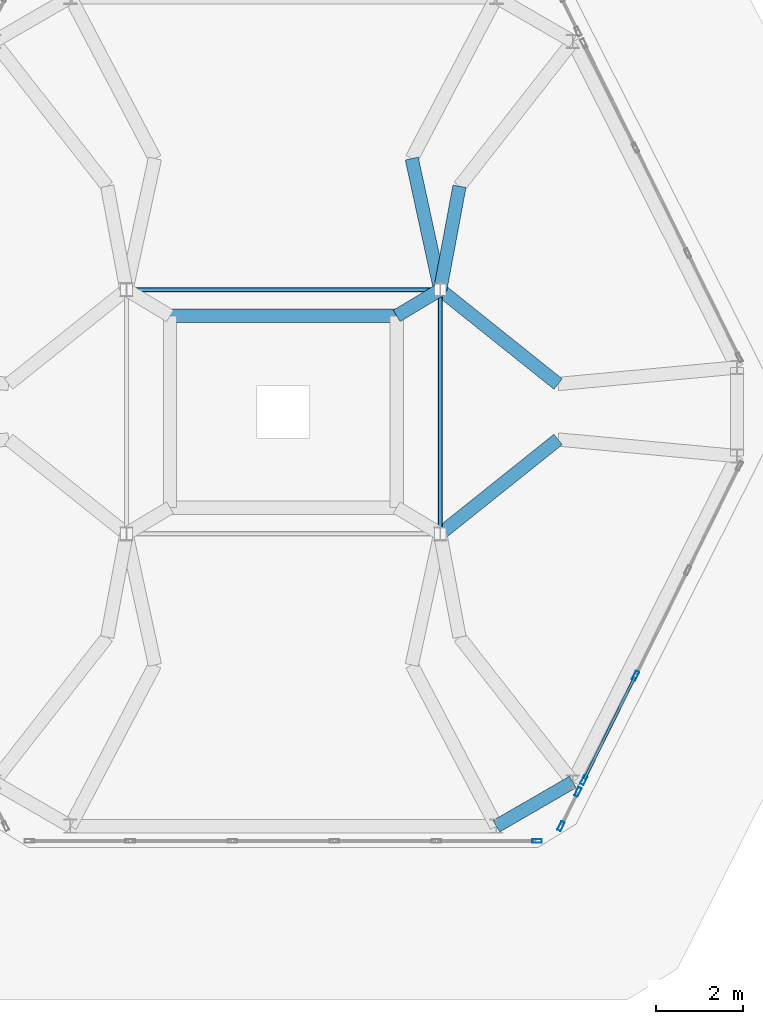
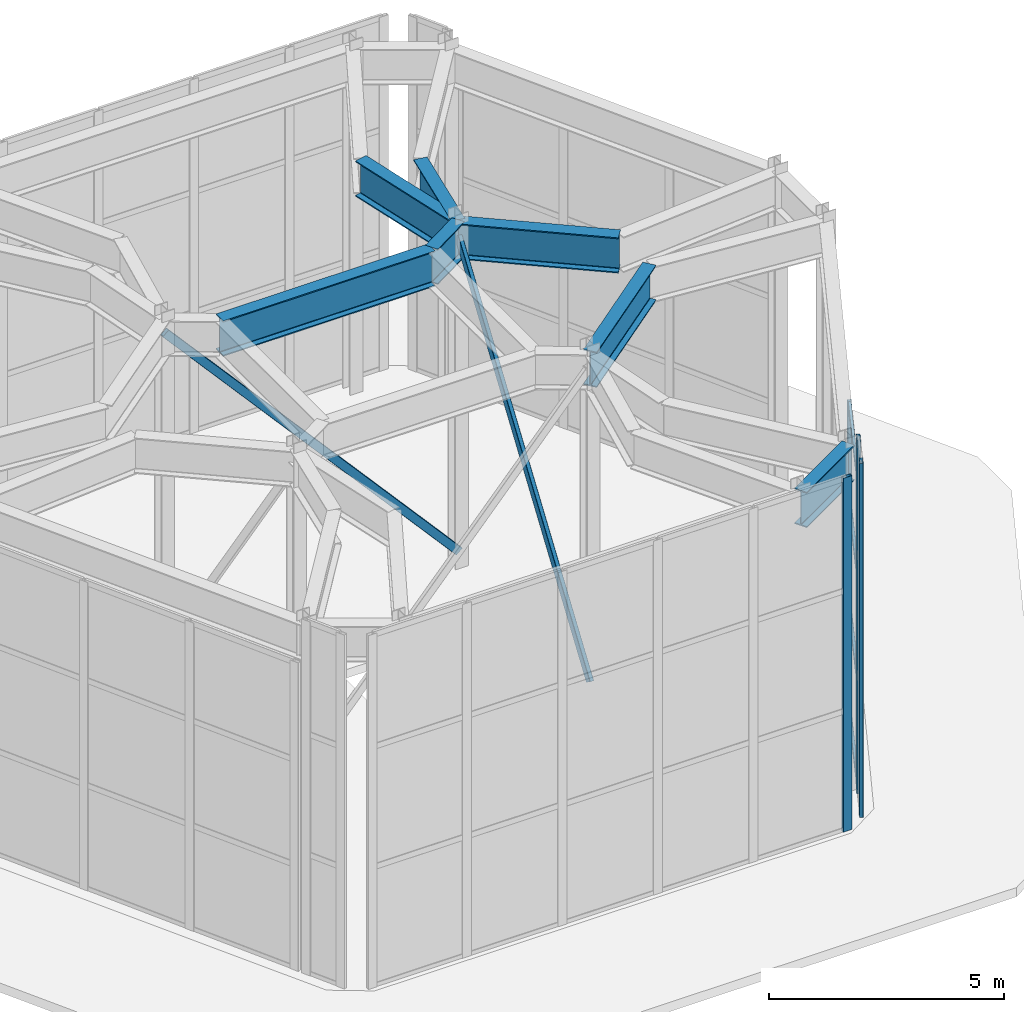
# One storey, part 5 of 9: 11 members, 7 beams, 3 elements without a shape of their own.
"""IFC4 building model written with IfcOpenShell, lengths in metres."""

import ifcopenshell
import ifcopenshell.guid

model = None  # the IFC model being written
_history = None  # IfcOwnerHistory: only IFC2X3 demands one
_inside = {}  # id of a spatial element -> (the spatial element, [elements in it])
_under = {}  # id of a project, library or spatial element -> (it, [spatial elements below it])
_declared = {}  # id of a project -> (the project, [libraries it declares])
_typed = {}  # id of a type object -> (the type object, [elements of that type])
_made_of = {}  # id of a material, layer set ... -> (it, [elements and type objects made of it])


def new_model(schema):
    """Start an empty IFC model of exactly this schema.

    Asked for "IFC4X3", IfcOpenShell would pick the latest addendum, in which some entities
    have other attributes; the version numbers below select the first issue.
    IFC2X3 requires an IfcOwnerHistory on every rooted entity: one is made here for all.
    """
    global model, _history
    if schema == "IFC4X3":
        model = ifcopenshell.file(schema_version=(4, 3, 0, 0))
    else:
        model = ifcopenshell.file(schema=schema)
    _inside.clear()
    _under.clear()
    _declared.clear()
    _typed.clear()
    _made_of.clear()
    _history = None
    if model.schema == "IFC2X3":
        org = make("IfcOrganization", Name="unknown")
        user = make(
            "IfcPersonAndOrganization",
            ThePerson=make("IfcPerson", FamilyName="unknown"),
            TheOrganization=org,
        )
        app = make(
            "IfcApplication",
            ApplicationDeveloper=org,
            Version="unknown",
            ApplicationFullName="unknown",
            ApplicationIdentifier="unknown",
        )
        _history = make(
            "IfcOwnerHistory",
            OwningUser=user,
            OwningApplication=app,
            ChangeAction="ADDED",
            CreationDate=0,
        )
    return model


def make(cls, **values):
    """One entity of the class cls with the attributes given. An attribute that is None is left unset."""
    return model.create_entity(
        cls, **{name: value for name, value in values.items() if value is not None}
    )


def rooted(cls, **values):
    """An entity with a GlobalId (a new one), such as an element, a storey or a relation."""
    return make(cls, GlobalId=ifcopenshell.guid.new(), OwnerHistory=_history, **values)


def si_unit(unit_type, name, prefix=None):
    """IfcSIUnit, for example si_unit("LENGTHUNIT", "METRE", prefix="MILLI")."""
    return make("IfcSIUnit", UnitType=unit_type, Prefix=prefix, Name=name)


def assignment(units):
    """IfcUnitAssignment: the units of a project."""
    return None if units is None else make("IfcUnitAssignment", Units=units)


def point(xyz):
    """IfcCartesianPoint."""
    return None if xyz is None else make("IfcCartesianPoint", Coordinates=xyz)


def direction(xyz):
    """IfcDirection."""
    return None if xyz is None else make("IfcDirection", DirectionRatios=xyz)


def frame(location, z_axis=None, x_axis=None):
    """IfcAxis2Placement3D, a coordinate frame: its origin and axes. An axis left out is left unset."""
    return make(
        "IfcAxis2Placement3D",
        Location=point(location),
        Axis=direction(z_axis),
        RefDirection=direction(x_axis),
    )


def frame_2d(location, x_axis=None):
    """IfcAxis2Placement2D, a coordinate frame in the plane: its origin and x axis."""
    return make(
        "IfcAxis2Placement2D", Location=point(location), RefDirection=direction(x_axis)
    )


def origin():
    """The frame at (0, 0, 0) with its axes left unset."""
    return frame((0.0, 0.0, 0.0))


def origin_2d():
    """The frame at (0, 0) in the plane with its x axis left unset."""
    return frame_2d((0.0, 0.0))


def place(relative_to, where):
    """IfcLocalPlacement: puts the frame where relative to a parent placement (None: the world)."""
    return make(
        "IfcLocalPlacement", PlacementRelTo=relative_to, RelativePlacement=where
    )


def context(
    kind, dimensions, precision=None, world=None, true_north=None, identifier=None
):
    """IfcGeometricRepresentationContext, for example the 3D "Model" context."""
    return make(
        "IfcGeometricRepresentationContext",
        ContextIdentifier=identifier,
        ContextType=kind,
        CoordinateSpaceDimension=dimensions,
        Precision=precision,
        WorldCoordinateSystem=world,
        TrueNorth=true_north,
    )


def subcontext(parent, identifier, kind, view, scale=None):
    """IfcGeometricRepresentationSubContext, for example "Body" below "Model"."""
    return make(
        "IfcGeometricRepresentationSubContext",
        ContextIdentifier=identifier,
        ContextType=kind,
        ParentContext=parent,
        TargetScale=scale,
        TargetView=view,
    )


def project(units=None, contexts=None):
    """IfcProject with its units and contexts."""
    return rooted(
        "IfcProject",
        Name="project",
        RepresentationContexts=contexts,
        UnitsInContext=assignment(units),
    )


def spatial(cls, under=None, at=None, **own):
    """A site, building, storey or space (cls), placed at a placement, below another one or the project."""
    s = rooted(cls, ObjectPlacement=at, **own)
    if under is not None:
        _under.setdefault(under.id(), (under, []))[1].append(s)
    return s


def profile(cls, at=None, kind="AREA", **sizes):
    """A parametric profile (cls). Its sizes go by their IFC names, for example OverallWidth=200.0."""
    return make(cls, ProfileType=kind, Position=at, **sizes)


def hollow_rectangle(**sizes):
    """IfcRectangleHollowProfileDef."""
    return profile("IfcRectangleHollowProfileDef", **sizes)


def i_section(**sizes):
    """IfcIShapeProfileDef."""
    return profile("IfcIShapeProfileDef", **sizes)


def extrude(swept, where, along, depth):
    """IfcExtrudedAreaSolid: the profile swept, set in the frame where, extruded along a direction by depth."""
    return make(
        "IfcExtrudedAreaSolid",
        SweptArea=swept,
        Position=where,
        ExtrudedDirection=direction(along),
        Depth=depth,
    )


def shape(context_of_items, identifier, shape_type, items):
    """IfcShapeRepresentation: the items that make up one representation, for example the "Body"."""
    return make(
        "IfcShapeRepresentation",
        ContextOfItems=context_of_items,
        RepresentationIdentifier=identifier,
        RepresentationType=shape_type,
        Items=items,
    )


def material(Name=None, Category=None):
    """IfcMaterial."""
    return make("IfcMaterial", Name=Name, Category=Category)


def layer(
    of_material, thickness, ventilated=None, Name=None, Category=None, Priority=None
):
    """IfcMaterialLayer: one layer of a wall or slab, of a material (None: an air gap)."""
    return make(
        "IfcMaterialLayer",
        Material=of_material,
        LayerThickness=thickness,
        IsVentilated=ventilated,
        Name=Name,
        Category=Category,
        Priority=Priority,
    )


def layer_set(layers, Name=None):
    """IfcMaterialLayerSet."""
    return make("IfcMaterialLayerSet", MaterialLayers=layers, LayerSetName=Name)


def material_profile(
    of_material, cross_section, Name=None, Category=None, Priority=None
):
    """IfcMaterialProfile: a cross section and its material."""
    return make(
        "IfcMaterialProfile",
        Name=Name,
        Material=of_material,
        Profile=cross_section,
        Priority=Priority,
        Category=Category,
    )


def profile_set(profiles, Name=None, composite=None):
    """IfcMaterialProfileSet."""
    return make(
        "IfcMaterialProfileSet",
        Name=Name,
        MaterialProfiles=profiles,
        CompositeProfile=composite,
    )


def made_of(thing, what):
    """Note that an element or type object is made of a material, layer set ...; save() writes the relation."""
    if what is not None:
        _made_of.setdefault(what.id(), (what, []))[1].append(thing)
    return thing


def type_object(cls, material=None, **own):
    """A type object (cls), such as IfcWallType, which elements share."""
    return made_of(rooted(cls, **own), material)


def element(
    cls,
    number,
    at=None,
    inside=None,
    cuts=None,
    type_object=None,
    material=None,
    context=None,
    identifier="Body",
    shape_type=None,
    held_by="IfcProductDefinitionShape",
    body=None,
    shapes=None,
    **own,
):
    """One element of the class cls, such as IfcWall. Its Tag is "e" and its number.

    at: its placement. inside: the storey or other place that contains it. cuts: it is an
    opening in that element (IfcRelVoidsElement). A single representation is given by context,
    identifier, shape_type and body (its items); several are given by shapes. held_by: the class
    of the entity that holds the representations. save() writes the other relations.
    """
    e = rooted(cls, Tag="e%d" % number, ObjectPlacement=at, **own)
    if body is not None:
        shapes = [shape(context, identifier, shape_type, body)]
    if shapes is not None:
        e.Representation = make(held_by, Representations=shapes)
    if inside is not None:
        _inside.setdefault(inside.id(), (inside, []))[1].append(e)
    if cuts is not None:
        rooted(
            "IfcRelVoidsElement", RelatingBuildingElement=cuts, RelatedOpeningElement=e
        )
    if type_object is not None:
        _typed.setdefault(type_object.id(), (type_object, []))[1].append(e)
    return made_of(e, material)


def aggregate(whole, parts):
    """IfcRelAggregates: a whole, such as a stair, and the parts it consists of."""
    return rooted("IfcRelAggregates", RelatingObject=whole, RelatedObjects=parts)


def save(model, path):
    """Write the relations noted so far, then the file.

    IfcRelAggregates (storeys below a building ...), IfcRelContainedInSpatialStructure (elements
    in a storey), IfcRelDefinesByType, IfcRelAssociatesMaterial and IfcRelDeclares: one each for
    every whole, place, type object, material and project.
    """
    for whole, parts in _under.values():
        aggregate(whole, parts)
    for where, things in _inside.values():
        rooted(
            "IfcRelContainedInSpatialStructure",
            RelatedElements=things,
            RelatingStructure=where,
        )
    for kind, things in _typed.values():
        rooted("IfcRelDefinesByType", RelatedObjects=things, RelatingType=kind)
    for what, things in _made_of.values():
        rooted("IfcRelAssociatesMaterial", RelatedObjects=things, RelatingMaterial=what)
    for by, libraries in _declared.values():
        rooted("IfcRelDeclares", RelatingContext=by, RelatedDefinitions=libraries)
    model.write(path)


model = new_model("IFC4")

# Units and contexts
model_context = context("Model", 3, precision=1e-05, world=origin(), true_north=direction((0.0, 1.0)))
body_context = subcontext(model_context, "Body", "Model", "MODEL_VIEW")
ifc_project = project(units=[si_unit("LENGTHUNIT", "METRE"), si_unit("AREAUNIT", "SQUARE_METRE"), si_unit("VOLUMEUNIT", "CUBIC_METRE"), si_unit("PLANEANGLEUNIT", "RADIAN"), si_unit("MASSUNIT", "GRAM", prefix="KILO")], contexts=[model_context])

# Site, building, storey
site_placement = place(None, origin())
site = spatial("IfcSite", under=ifc_project, at=site_placement, CompositionType="ELEMENT")
building_placement = place(site_placement, origin())
building = spatial("IfcBuilding", under=site, at=building_placement, Name="Cinnabar Lancet Tower", CompositionType="ELEMENT")
storey_placement = place(building_placement, frame((0.0, 0.0, 323.85009765625)))
storey = spatial("IfcBuildingStorey", under=building, at=storey_placement, Name="L82", CompositionType="ELEMENT", Elevation=323.85009765625)

# Curtain wall, member
ifc_material_1 = material(Name="Thermally broken bronze-anodized aluminium and low-E glass", Category="aluminium")
ifc_layer = layer(ifc_material_1, 0.179931640625)
ifc_layer_set = layer_set([ifc_layer], Name="Thermally broken bronze-anodized aluminium and low-E glass")
curtain_wall_type = type_object("IfcCurtainWallType", Name="ENV-CW-SYS-06", PredefinedType="NOTDEFINED", material=ifc_layer_set)
curtain_wall_1_placement = place(storey_placement, origin())
curtain_wall_1 = element("IfcCurtainWall", 1, at=curtain_wall_1_placement, inside=storey, type_object=curtain_wall_type, Name="L82 Faceted Lancet Crown Curtain Wall 2", PredefinedType="NOTDEFINED")
ifc_material_2 = material(Name="Anodized architectural aluminium 6063-T6", Category="aluminium")
ifc_material_profile_1 = material_profile(ifc_material_2, hollow_rectangle(XDim=0.0849609375, YDim=0.219970703125, WallThickness=0.0048828125, InnerFilletRadius=0.00244140625, OuterFilletRadius=0.007568359375, at=origin_2d()), Name="CW-MUL 220x85x5")
ifc_profile_set_1 = profile_set([ifc_material_profile_1], Name="Anodized architectural aluminium 6063-T6")
member_type_1 = type_object("IfcMemberType", Name="ENV-CW-MUL-220", PredefinedType="MULLION", material=ifc_profile_set_1)
member_1_placement = place(storey_placement, frame((38.22412109375, 15.949951171875, 0.0), z_axis=(0.0, 0.0, 1.0), x_axis=(0.0, 1.0, 0.0)))
member_1 = element("IfcMember", 2, at=member_1_placement, type_object=member_type_1, Name="CW-06 mullion 6", PredefinedType="MULLION", context=body_context, shape_type="SweptSolid", body=[
    extrude(hollow_rectangle(XDim=0.0849609375, YDim=0.219970703125, WallThickness=0.0048828125, InnerFilletRadius=0.00244140625, OuterFilletRadius=0.007568359375, at=origin_2d()), origin(), (0.0, 0.0, 1.0), 9.1748046875),
])
aggregate(curtain_wall_1, [member_1])

# Curtain wall, members
curtain_wall_2_placement = place(storey_placement, origin())
curtain_wall_2 = element("IfcCurtainWall", 3, at=curtain_wall_2_placement, inside=storey, type_object=curtain_wall_type, Name="L82 Faceted Lancet Crown Curtain Wall 4", PredefinedType="NOTDEFINED")
member_2_placement = place(storey_placement, frame((38.772216796875, 16.290771484375, 0.0), z_axis=(0.0, 0.0, 1.0), x_axis=(-0.896337400461, 0.443372602374, 0.0)))
member_2 = element("IfcMember", 4, at=member_2_placement, type_object=member_type_1, Name="CW-06 mullion 1", PredefinedType="MULLION", context=body_context, shape_type="SweptSolid", body=[
    extrude(hollow_rectangle(XDim=0.0849609375, YDim=0.219970703125, WallThickness=0.0048828125, InnerFilletRadius=0.00244140625, OuterFilletRadius=0.007568359375, at=origin_2d()), origin(), (0.0, 0.0, 1.0), 9.1748046875),
])
member_3_placement = place(storey_placement, frame((39.16162109375, 17.078125, 0.0), z_axis=(0.0, 0.0, 1.0), x_axis=(-0.896337400461, 0.443372602374, 0.0)))
member_3 = element("IfcMember", 5, at=member_3_placement, type_object=member_type_1, Name="CW-06 mullion 2", PredefinedType="MULLION", context=body_context, shape_type="SweptSolid", body=[
    extrude(hollow_rectangle(XDim=0.0849609375, YDim=0.219970703125, WallThickness=0.0048828125, InnerFilletRadius=0.00244140625, OuterFilletRadius=0.007568359375, at=origin_2d()), origin(), (0.0, 0.0, 1.0), 9.1748046875),
])
aggregate(curtain_wall_2, [member_2, member_3])

curtain_wall_3_placement = place(storey_placement, origin())
curtain_wall_3 = element("IfcCurtainWall", 6, at=curtain_wall_3_placement, inside=storey, type_object=curtain_wall_type, Name="L82 Faceted Lancet Crown Curtain Wall 5", PredefinedType="NOTDEFINED")
member_4_placement = place(storey_placement, frame((39.29541015625, 17.346923828125, 0.0), z_axis=(0.0, 0.0, 1.0), x_axis=(-0.896196734695, 0.443656863715, 0.0)))
member_4 = element("IfcMember", 7, at=member_4_placement, type_object=member_type_1, Name="CW-06 mullion 1", PredefinedType="MULLION", context=body_context, shape_type="SweptSolid", body=[
    extrude(hollow_rectangle(XDim=0.0849609375, YDim=0.219970703125, WallThickness=0.0048828125, InnerFilletRadius=0.00244140625, OuterFilletRadius=0.007568359375, at=origin_2d()), origin(), (0.0, 0.0, 1.0), 7.996826171875),
])
member_5_placement = place(storey_placement, frame((40.480712890625, 19.741455078125, 0.0), z_axis=(0.0, 0.0, 1.0), x_axis=(-0.896196734695, 0.443656863715, 0.0)))
member_5 = element("IfcMember", 8, at=member_5_placement, type_object=member_type_1, Name="CW-06 mullion 2", PredefinedType="MULLION", context=body_context, shape_type="SweptSolid", body=[
    extrude(hollow_rectangle(XDim=0.0849609375, YDim=0.219970703125, WallThickness=0.0048828125, InnerFilletRadius=0.00244140625, OuterFilletRadius=0.007568359375, at=origin_2d()), origin(), (0.0, 0.0, 1.0), 7.996826171875),
])
ifc_material_3 = material(Name="Anodized architectural aluminium 6063-T6", Category="aluminium")
ifc_material_profile_2 = material_profile(ifc_material_3, hollow_rectangle(XDim=0.06494140625, YDim=0.14990234375, WallThickness=0.00390625, InnerFilletRadius=0.001953125, OuterFilletRadius=0.006103515625, at=origin_2d()), Name="CW-TRN 150x65x4")
ifc_profile_set_2 = profile_set([ifc_material_profile_2], Name="Anodized architectural aluminium 6063-T6")
member_type_2 = type_object("IfcMemberType", Name="ENV-CW-TRN-160", PredefinedType="USERDEFINED", material=ifc_profile_set_2)
member_6_placement = place(storey_placement, frame((39.30859375, 17.373779296875, 0.02978515625), z_axis=(0.443657814617, 0.896196263956, 0.0), x_axis=(-0.896196263956, 0.443657814617, 0.0)))
member_6 = element("IfcMember", 9, at=member_6_placement, type_object=member_type_2, Name="CW-06 transom 1.1", ObjectType="TRANSOM", PredefinedType="USERDEFINED", context=body_context, shape_type="SweptSolid", body=[
    extrude(hollow_rectangle(XDim=0.06494140625, YDim=0.14990234375, WallThickness=0.00390625, InnerFilletRadius=0.001953125, OuterFilletRadius=0.006103515625, at=origin_2d()), origin(), (0.0, 0.0, 1.0), 2.611572265625),
])
member_7_placement = place(storey_placement, frame((39.30859375, 17.373779296875, 2.718994140625), z_axis=(0.443657814617, 0.896196263956, 0.0), x_axis=(-0.896196263956, 0.443657814617, 0.0)))
member_7 = element("IfcMember", 10, at=member_7_placement, type_object=member_type_2, Name="CW-06 transom 1.2", ObjectType="TRANSOM", PredefinedType="USERDEFINED", context=body_context, shape_type="SweptSolid", body=[
    extrude(hollow_rectangle(XDim=0.06494140625, YDim=0.14990234375, WallThickness=0.00390625, InnerFilletRadius=0.001953125, OuterFilletRadius=0.006103515625, at=origin_2d()), origin(), (0.0, 0.0, 1.0), 2.611572265625),
])
member_8_placement = place(storey_placement, frame((39.30859375, 17.373779296875, 5.43798828125), z_axis=(0.443657814617, 0.896196263956, 0.0), x_axis=(-0.896196263956, 0.443657814617, 0.0)))
member_8 = element("IfcMember", 11, at=member_8_placement, type_object=member_type_2, Name="CW-06 transom 1.3", ObjectType="TRANSOM", PredefinedType="USERDEFINED", context=body_context, shape_type="SweptSolid", body=[
    extrude(hollow_rectangle(XDim=0.06494140625, YDim=0.14990234375, WallThickness=0.00390625, InnerFilletRadius=0.001953125, OuterFilletRadius=0.006103515625, at=origin_2d()), origin(), (0.0, 0.0, 1.0), 2.611572265625),
])
member_9_placement = place(storey_placement, frame((39.30859375, 17.373779296875, 7.966796875), z_axis=(0.443657814617, 0.896196263956, 0.0), x_axis=(-0.896196263956, 0.443657814617, 0.0)))
member_9 = element("IfcMember", 12, at=member_9_placement, type_object=member_type_2, Name="CW-06 transom 1.4", ObjectType="TRANSOM", PredefinedType="USERDEFINED", context=body_context, shape_type="SweptSolid", body=[
    extrude(hollow_rectangle(XDim=0.06494140625, YDim=0.14990234375, WallThickness=0.00390625, InnerFilletRadius=0.001953125, OuterFilletRadius=0.006103515625, at=origin_2d()), origin(), (0.0, 0.0, 1.0), 2.611572265625),
])
aggregate(curtain_wall_3, [member_4, member_5, member_6, member_7, member_8, member_9])

# Beams
ifc_material_4 = material(Name="Structural steel S355", Category="steel")
ifc_material_profile_3 = material_profile(ifc_material_4, i_section(OverallWidth=0.305419921875, OverallDepth=0.91845703125, WebThickness=0.017333984375, FlangeThickness=0.02783203125, FilletRadius=0.01904296875, at=origin_2d()), Name="UKB 914x305x253")
ifc_profile_set_3 = profile_set([ifc_material_profile_3], Name="Structural steel S355")
beam_type = type_object("IfcBeamType", Name="STR-BM-UKB914-253", PredefinedType="BEAM", material=ifc_profile_set_3)
beam_1_placement = place(storey_placement, frame((37.2880859375, 16.2890625, 8.4658203125), z_axis=(0.865659808039, 0.500632696441, 0.0), x_axis=(-0.500632696441, 0.865659808039, 0.0)))
element("IfcBeam", 13, at=beam_1_placement, inside=storey, type_object=beam_type, Name="L83 Setback Outer Ring Girder 2", PredefinedType="BEAM", context=body_context, shape_type="SweptSolid", body=[
    extrude(i_section(OverallWidth=0.305419921875, OverallDepth=0.91845703125, WebThickness=0.017333984375, FlangeThickness=0.02783203125, FilletRadius=0.01904296875, at=origin_2d()), origin(), (0.0, 0.0, 1.0), 2.027099609375),
])
for number, where, z_axis, x_axis, name in (
    (14, (38.7041015625, 25.1630859375, 8.4658203125), (-0.780896322231, -0.624660655017, 0.0), (0.624660655017, -0.780896322231, 0.0), "L83 Crown Setback Radial Girder 4"),
    (15, (38.7041015625, 26.43701171875, 8.4658203125), (-0.780896322231, 0.624660655017, 0.0), (-0.624660655017, -0.780896322231, 0.0), "L83 Crown Setback Radial Girder 5"),
):
    element("IfcBeam", number, at=place(storey_placement, frame(where, z_axis=z_axis, x_axis=x_axis)), inside=storey, type_object=beam_type, Name=name, PredefinedType="BEAM", context=body_context, shape_type="SweptSolid", body=[
        extrude(i_section(OverallWidth=0.305419921875, OverallDepth=0.91845703125, WebThickness=0.017333984375, FlangeThickness=0.02783203125, FilletRadius=0.01904296875, at=origin_2d()), origin(), (0.0, 0.0, 1.0), 3.462890625),
    ])
beam_2_placement = place(storey_placement, frame((36.44189453125, 30.97412109375, 8.4658203125), z_axis=(-0.182994272171, -0.983113979329, 0.0), x_axis=(0.983113979329, -0.182994272171, 0.0)))
element("IfcBeam", 16, at=beam_2_placement, inside=storey, type_object=beam_type, Name="L83 Crown Setback Radial Girder 6", PredefinedType="BEAM", context=body_context, shape_type="SweptSolid", body=[
    extrude(i_section(OverallWidth=0.305419921875, OverallDepth=0.91845703125, WebThickness=0.017333984375, FlangeThickness=0.02783203125, FilletRadius=0.01904296875, at=origin_2d()), origin(), (0.0, 0.0, 1.0), 2.414794921875),
])
beam_3_placement = place(storey_placement, frame((35.346923828125, 31.610107421875, 8.4658203125), z_axis=(0.212034731166, -0.977262131047, 0.0), x_axis=(0.977262131047, 0.212034731166, 0.0)))
element("IfcBeam", 17, at=beam_3_placement, inside=storey, type_object=beam_type, Name="L83 Crown Setback Radial Girder 7", PredefinedType="BEAM", context=body_context, shape_type="SweptSolid", body=[
    extrude(i_section(OverallWidth=0.305419921875, OverallDepth=0.91845703125, WebThickness=0.017333984375, FlangeThickness=0.02783203125, FilletRadius=0.01904296875, at=origin_2d()), origin(), (0.0, 0.0, 1.0), 3.080078125),
])
beam_4_placement = place(storey_placement, frame((36.0, 28.60009765625, 8.4658203125), z_axis=(-0.857455981178, -0.514557324642, 0.0), x_axis=(0.514557324642, -0.857455981178, 0.0)))
element("IfcBeam", 18, at=beam_4_placement, inside=storey, type_object=beam_type, Name="L83 Crown Inner Ring Transfer 3", PredefinedType="BEAM", context=body_context, shape_type="SweptSolid", body=[
    extrude(i_section(OverallWidth=0.305419921875, OverallDepth=0.91845703125, WebThickness=0.017333984375, FlangeThickness=0.02783203125, FilletRadius=0.01904296875, at=origin_2d()), origin(), (0.0, 0.0, 1.0), 1.166259765625),
])
beam_5_placement = place(storey_placement, frame((35.0, 28.0, 8.4658203125), z_axis=(-1.0, 0.0, 0.0), x_axis=(0.0, -1.0, 0.0)))
element("IfcBeam", 19, at=beam_5_placement, inside=storey, type_object=beam_type, Name="L83 Crown Inner Ring Tie 3", PredefinedType="BEAM", context=body_context, shape_type="SweptSolid", body=[
    extrude(i_section(OverallWidth=0.305419921875, OverallDepth=0.91845703125, WebThickness=0.017333984375, FlangeThickness=0.02783203125, FilletRadius=0.01904296875, at=origin_2d()), origin(), (0.0, 0.0, 1.0), 5.199951171875),
])

# Members
ifc_material_5 = material(Name="Structural steel S460", Category="steel")
ifc_material_profile_4 = material_profile(ifc_material_5, hollow_rectangle(XDim=0.10009765625, YDim=0.199951171875, WallThickness=0.008056640625, InnerFilletRadius=0.00390625, OuterFilletRadius=0.011962890625, at=origin_2d()), Name="RHS 200x100x8")
ifc_profile_set_4 = profile_set([ifc_material_profile_4], Name="Structural steel S460")
member_type_3 = type_object("IfcMemberType", Name="STR-MEM-CRN-BRC200", PredefinedType="BRACE", material=ifc_profile_set_4)
member_10_placement = place(storey_placement, frame((36.0, 23.0, 0.349853515625), z_axis=(0.0, 0.565140464089, 0.824994700498), x_axis=(-1.0, 0.0, 0.0)))
element("IfcMember", 20, at=member_10_placement, inside=storey, type_object=member_type_3, Name="L82 Crown Lancet Core Brace 2", PredefinedType="BRACE", context=body_context, shape_type="SweptSolid", body=[
    extrude(hollow_rectangle(XDim=0.10009765625, YDim=0.199951171875, WallThickness=0.008056640625, InnerFilletRadius=0.00390625, OuterFilletRadius=0.011962890625, at=origin_2d()), origin(), (0.0, 0.0, 1.0), 9.9091796875),
])
member_11_placement = place(storey_placement, frame((36.0, 28.60009765625, 0.349853515625), z_axis=(-0.660933495554, 0.0, 0.75044447793), x_axis=(0.0, -1.0, 0.0)))
element("IfcMember", 21, at=member_11_placement, inside=storey, type_object=member_type_3, Name="L82 Crown Lancet Core Brace 3", PredefinedType="BRACE", context=body_context, shape_type="SweptSolid", body=[
    extrude(hollow_rectangle(XDim=0.10009765625, YDim=0.199951171875, WallThickness=0.008056640625, InnerFilletRadius=0.00390625, OuterFilletRadius=0.011962890625, at=origin_2d()), origin(), (0.0, 0.0, 1.0), 10.8935546875),
])

save(model, "model.ifc")
